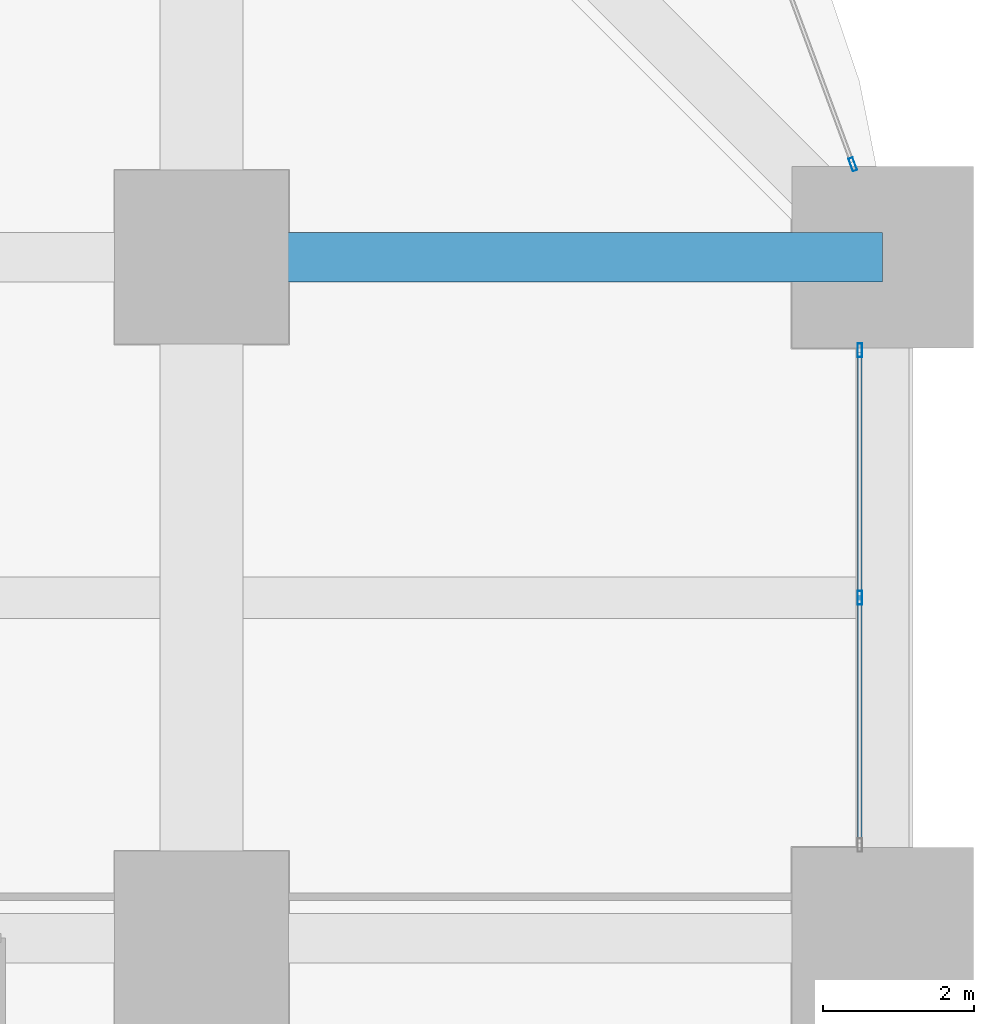
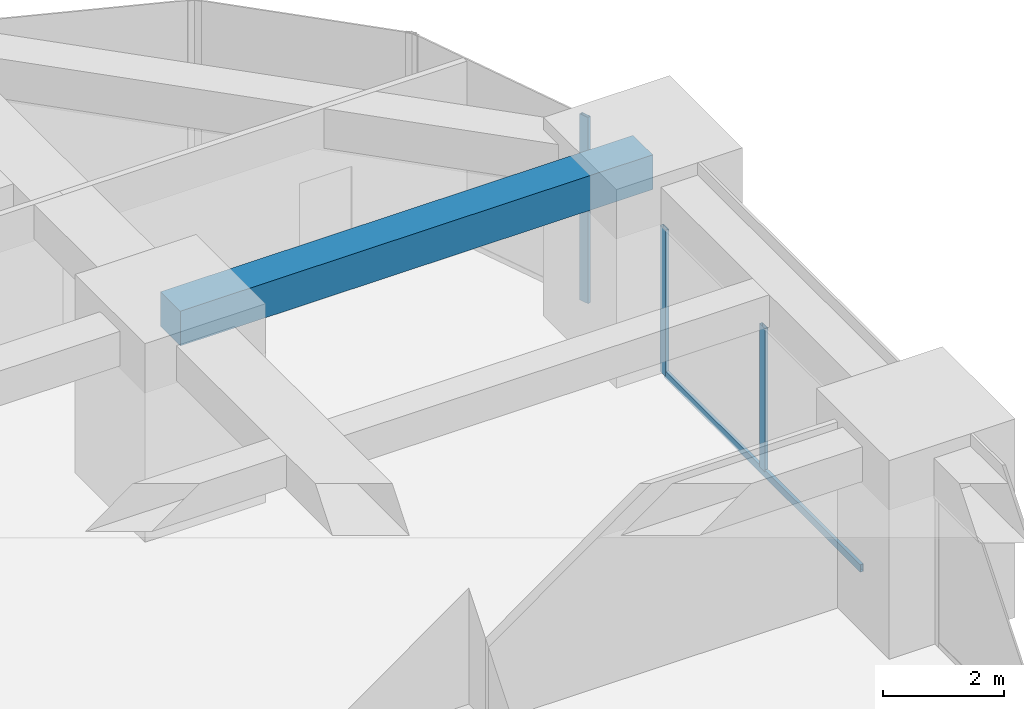
# One storey, part 34 of 45: 4 members, 1 beam, 2 elements without a shape of their own.
"""IFC4 building model written with IfcOpenShell, lengths in metres."""

from ifc_helpers import new_model, si_unit, direction, frame, origin, origin_2d, place, context, subcontext, project, spatial, rectangle, hollow_rectangle, extrude, material, material_profile, profile_set, type_object, element, aggregate, save


model = new_model("IFC4")

# Units and contexts
model_context = context("Model", 3, precision=1e-05, world=origin(), true_north=direction((0.0, 1.0)))
body_context = subcontext(model_context, "Body", "Model", "MODEL_VIEW")
ifc_project = project(units=[si_unit("LENGTHUNIT", "METRE"), si_unit("AREAUNIT", "SQUARE_METRE"), si_unit("VOLUMEUNIT", "CUBIC_METRE"), si_unit("PLANEANGLEUNIT", "RADIAN"), si_unit("MASSUNIT", "GRAM", prefix="KILO")], contexts=[model_context])

# Site, building, storey
site_placement = place(None, origin())
site = spatial("IfcSite", under=ifc_project, at=site_placement, CompositionType="ELEMENT")
building_placement = place(site_placement, origin())
building = spatial("IfcBuilding", under=site, at=building_placement, Name="Zorevar Civic Tower", CompositionType="ELEMENT")
storey_placement = place(building_placement, frame((0.0, 0.0, 47.800048828125)))
storey = spatial("IfcBuildingStorey", under=building, at=storey_placement, Name="L11", CompositionType="ELEMENT", Elevation=47.800048828125)

# Beam
ifc_material_1 = material(Name="Concrete C50/60", Category="concrete")
ifc_material_profile_1 = material_profile(ifc_material_1, rectangle(XDim=0.64990234375, YDim=0.699951171875, at=origin_2d()), Name="RC 650x700")
ifc_profile_set_1 = profile_set([ifc_material_profile_1], Name="Concrete C50/60")
beam_type = type_object("IfcBeamType", Name="Beam RC 650x700", PredefinedType="BEAM", material=ifc_profile_set_1)
beam_placement = place(storey_placement, frame((54.0, 45.0, 3.39990234375), z_axis=(1.0, 0.0, 0.0), x_axis=(0.0, 1.0, 0.0)))
element("IfcBeam", 1, at=beam_placement, inside=storey, type_object=beam_type, Name="Girder L12", PredefinedType="BEAM", context=body_context, shape_type="SweptSolid", body=[
    extrude(rectangle(XDim=0.64990234375, YDim=0.699951171875, at=origin_2d()), origin(), (0.0, 0.0, 1.0), 9.0),
])

# Curtain wall, members
ifc_material_2 = material(Name="Dark grey solar-control glass in black aluminium frame", Category="aluminium")
curtain_wall_type = type_object("IfcCurtainWallType", Name="Curtain wall CW2 low zone", PredefinedType="NOTDEFINED", material=ifc_material_2)
curtain_wall_1_placement = place(storey_placement, origin())
curtain_wall_1 = element("IfcCurtainWall", 2, at=curtain_wall_1_placement, inside=storey, type_object=curtain_wall_type, Name="CW2 L11", PredefinedType="NOTDEFINED")
ifc_material_3 = material(Name="Aluminium, black anodised", Category="aluminium")
ifc_material_profile_2 = material_profile(ifc_material_3, hollow_rectangle(XDim=0.06005859375, YDim=0.179931640625, WallThickness=0.00390625, at=origin_2d()), Name="AL 180x60x4")
ifc_profile_set_2 = profile_set([ifc_material_profile_2], Name="Aluminium, black anodised")
member_type_1 = type_object("IfcMemberType", Name="CW2 mullion AL 180x60x4", PredefinedType="MULLION", material=ifc_profile_set_2)
member_1_placement = place(storey_placement, frame((62.699951171875, 40.5, 0.06005859375), z_axis=(0.0, 0.0, 1.0), x_axis=(-1.0, 0.0, 0.0)))
member_1 = element("IfcMember", 3, at=member_1_placement, type_object=member_type_1, Name="CW2 mullion 2", PredefinedType="MULLION", context=body_context, shape_type="SweptSolid", body=[
    extrude(hollow_rectangle(XDim=0.06005859375, YDim=0.179931640625, WallThickness=0.00390625, at=origin_2d()), origin(), (0.0, 0.0, 1.0), 2.889892578125),
])
member_2_placement = place(storey_placement, frame((62.699951171875, 43.77001953125, 0.0), z_axis=(0.0, 0.0, 1.0), x_axis=(-1.0, 0.0, 0.0)))
member_2 = element("IfcMember", 4, at=member_2_placement, type_object=member_type_1, Name="CW2 mullion 3", PredefinedType="MULLION", context=body_context, shape_type="SweptSolid", body=[
    extrude(hollow_rectangle(XDim=0.06005859375, YDim=0.179931640625, WallThickness=0.00390625, at=origin_2d()), origin(), (0.0, 0.0, 1.0), 2.949951171875),
])

# Curtain wall, member
curtain_wall_2_placement = place(storey_placement, origin())
curtain_wall_2 = element("IfcCurtainWall", 5, at=curtain_wall_2_placement, inside=storey, type_object=curtain_wall_type, Name="CW2 L11", PredefinedType="NOTDEFINED")
member_3_placement = place(storey_placement, frame((62.6064453125, 46.22802734375, 0.0), z_axis=(0.0, 0.0, 1.0), x_axis=(-0.937974588163, -0.346704012033, 0.0)))
member_3 = element("IfcMember", 6, at=member_3_placement, type_object=member_type_1, Name="CW2 mullion 1", PredefinedType="MULLION", context=body_context, shape_type="SweptSolid", body=[
    extrude(hollow_rectangle(XDim=0.06005859375, YDim=0.179931640625, WallThickness=0.00390625, at=origin_2d()), origin(), (0.0, 0.0, 1.0), 3.75),
])
aggregate(curtain_wall_2, [member_3])

# Member
ifc_material_4 = material(Name="Aluminium, black anodised", Category="aluminium")
ifc_material_profile_3 = material_profile(ifc_material_4, hollow_rectangle(XDim=0.06005859375, YDim=0.14990234375, WallThickness=0.00390625, at=origin_2d()), Name="AL 150x60x4")
ifc_profile_set_3 = profile_set([ifc_material_profile_3], Name="Aluminium, black anodised")
member_type_2 = type_object("IfcMemberType", Name="CW2 transom AL 150x60x4", PredefinedType="USERDEFINED", material=ifc_profile_set_3)
member_4_placement = place(storey_placement, frame((62.699951171875, 37.260009765625, 0.030029296875), z_axis=(0.0, 1.0, 0.0), x_axis=(-1.0, 0.0, 0.0)))
member_4 = element("IfcMember", 7, at=member_4_placement, type_object=member_type_2, Name="CW2 sill transom", ObjectType="TRANSOM", PredefinedType="USERDEFINED", context=body_context, shape_type="SweptSolid", body=[
    extrude(hollow_rectangle(XDim=0.06005859375, YDim=0.14990234375, WallThickness=0.00390625, at=origin_2d()), origin(), (0.0, 0.0, 1.0), 6.47998046875),
])

aggregate(curtain_wall_1, [member_1, member_2, member_4])

save(model, "model.ifc")
